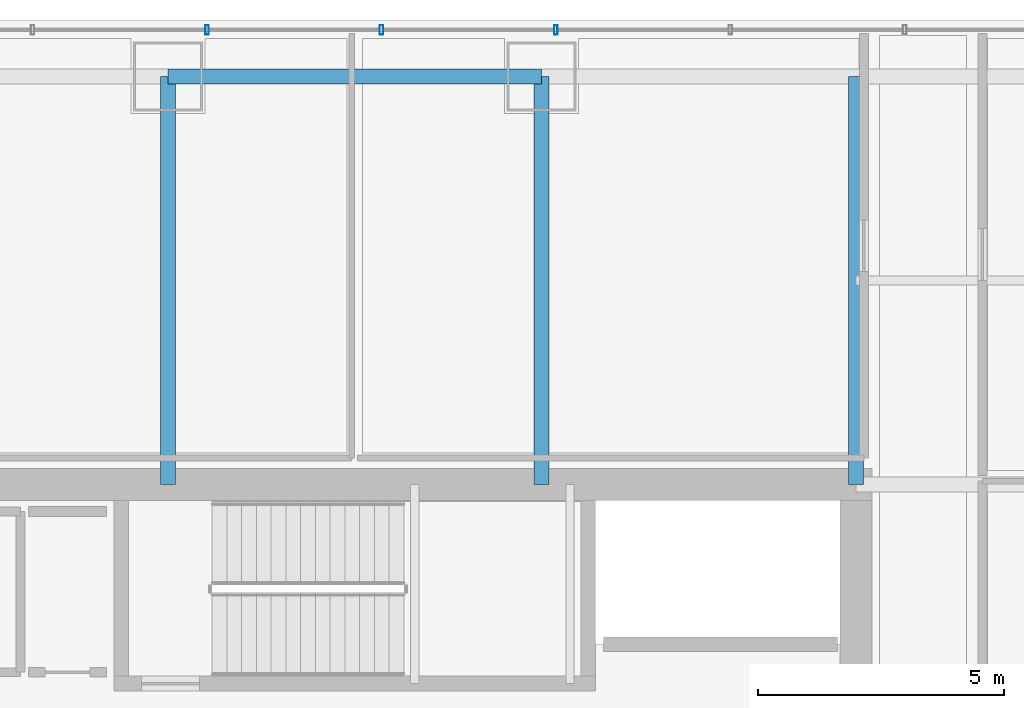
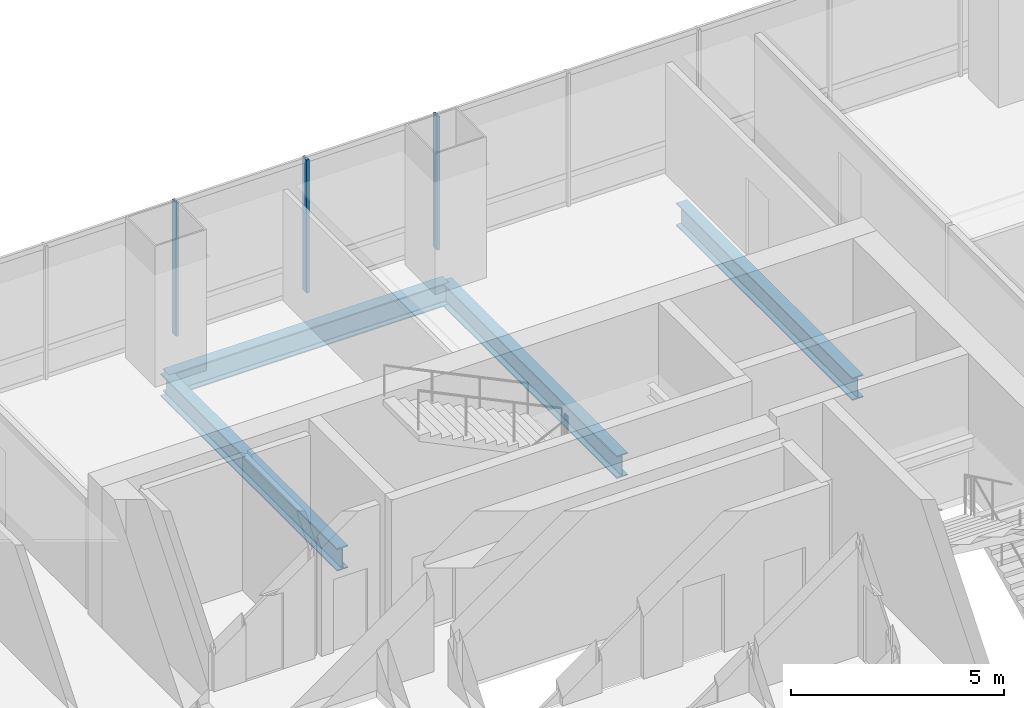
# One storey, part 23 of 36: 4 beams, 3 members, 1 element without a shape of its own.
"""IFC4 building model written with IfcOpenShell, lengths in metres."""

from ifc_helpers import new_model, si_unit, direction, frame, origin, origin_2d, place, context, subcontext, project, spatial, hollow_rectangle, i_section, extrude, material, material_profile, profile_set, type_object, element, aggregate, save


model = new_model("IFC4")

# Units and contexts
model_context = context("Model", 3, precision=1e-05, world=origin(), true_north=direction((0.0, 1.0)))
body_context = subcontext(model_context, "Body", "Model", "MODEL_VIEW")
ifc_project = project(units=[si_unit("LENGTHUNIT", "METRE"), si_unit("AREAUNIT", "SQUARE_METRE"), si_unit("VOLUMEUNIT", "CUBIC_METRE"), si_unit("PLANEANGLEUNIT", "RADIAN"), si_unit("MASSUNIT", "GRAM", prefix="KILO")], contexts=[model_context])

# Site, building, storey
site_placement = place(None, origin())
site = spatial("IfcSite", under=ifc_project, at=site_placement, CompositionType="ELEMENT")
building_placement = place(site_placement, origin())
building = spatial("IfcBuilding", under=site, at=building_placement, Name="Punatoya Terracotta Tower", CompositionType="ELEMENT")
storey_placement = place(building_placement, frame((0.0, 0.0, 228.89990234375)))
storey = spatial("IfcBuildingStorey", under=building, at=storey_placement, Name="L54", CompositionType="ELEMENT", Elevation=228.89990234375)

# Beams
ifc_material_1 = material(Name="Steel S355", Category="steel")
ifc_material_profile_1 = material_profile(ifc_material_1, i_section(OverallWidth=0.300048828125, OverallDepth=0.64990234375, WebThickness=0.01611328125, FlangeThickness=0.031005859375, FilletRadius=0.01806640625, at=origin_2d()))
ifc_profile_set_1 = profile_set([ifc_material_profile_1], Name="Steel S355")
beam_type = type_object("IfcBeamType", Name="BM-PRI-650", PredefinedType="BEAM", material=ifc_profile_set_1)
beam_placement = place(storey_placement, frame((-3.800048828125, 17.5, -0.544921875), z_axis=(1.0, 0.0, 0.0), x_axis=(0.0, 1.0, 0.0)))
element("IfcBeam", 1, at=beam_placement, inside=storey, type_object=beam_type, Name="BM-L54-RG-N2", PredefinedType="BEAM", context=body_context, shape_type="SweptSolid", body=[
    extrude(i_section(OverallWidth=0.300048828125, OverallDepth=0.64990234375, WebThickness=0.01611328125, FlangeThickness=0.031005859375, FilletRadius=0.01806640625, at=origin_2d()), origin(), (0.0, 0.0, 1.0), 7.60009765625),
])
for number, where, z_axis, x_axis, name in (
    (2, (-3.800048828125, 9.199951171875, -0.544921875), (0.0, 1.0, 0.0), (-1.0, 0.0, 0.0), "BM-L54-PR-N2"),
    (3, (3.800048828125, 9.199951171875, -0.544921875), (0.0, 1.0, 0.0), (-1.0, 0.0, 0.0), "BM-L54-PR-N3"),
    (4, (10.199951171875, 9.199951171875, -0.544921875), (0.0, 1.0, 0.0), (-1.0, 0.0, 0.0), "BM-L54-PR-N4"),
):
    element("IfcBeam", number, at=place(storey_placement, frame(where, z_axis=z_axis, x_axis=x_axis)), inside=storey, type_object=beam_type, Name=name, PredefinedType="BEAM", context=body_context, shape_type="SweptSolid", body=[
        extrude(i_section(OverallWidth=0.300048828125, OverallDepth=0.64990234375, WebThickness=0.01611328125, FlangeThickness=0.031005859375, FilletRadius=0.01806640625, at=origin_2d()), origin(), (0.0, 0.0, 1.0), 8.300048828125),
    ])

# Curtain wall, members
ifc_material_2 = material(Name="Aluminium 6063-T6 + Double Low-E Glass", Category="aluminium")
curtain_wall_type = type_object("IfcCurtainWallType", Name="CW-M2", PredefinedType="NOTDEFINED", material=ifc_material_2)
curtain_wall_placement = place(storey_placement, origin())
curtain_wall = element("IfcCurtainWall", 5, at=curtain_wall_placement, inside=storey, type_object=curtain_wall_type, Name="L54 Curtain Wall CW-L54-N08-1", PredefinedType="NOTDEFINED")
ifc_material_3 = material(Name="Aluminium 6063-T6", Category="aluminium")
ifc_material_profile_2 = material_profile(ifc_material_3, hollow_rectangle(XDim=0.072021484375, YDim=0.195068359375, WallThickness=0.00439453125, at=origin_2d()))
ifc_profile_set_2 = profile_set([ifc_material_profile_2], Name="Aluminium 6063-T6")
member_type = type_object("IfcMemberType", Name="CW-MUL-M2", PredefinedType="MULLION", material=ifc_profile_set_2)
member_1_placement = place(storey_placement, frame((4.093505859375, 18.449951171875, 0.0), z_axis=(0.0, 0.0, 1.0), x_axis=(1.0, 0.0, 0.0)))
member_1 = element("IfcMember", 6, at=member_1_placement, type_object=member_type, Name="CW-L54-N08-1 Mullion 05", PredefinedType="MULLION", context=body_context, shape_type="SweptSolid", body=[
    extrude(hollow_rectangle(XDim=0.072021484375, YDim=0.195068359375, WallThickness=0.00439453125, at=origin_2d()), origin(), (0.0, 0.0, 1.0), 3.830078125),
])
member_2_placement = place(storey_placement, frame((0.544921875, 18.449951171875, 0.0), z_axis=(0.0, 0.0, 1.0), x_axis=(1.0, 0.0, 0.0)))
member_2 = element("IfcMember", 7, at=member_2_placement, type_object=member_type, Name="CW-L54-N08-1 Mullion 06", PredefinedType="MULLION", context=body_context, shape_type="SweptSolid", body=[
    extrude(hollow_rectangle(XDim=0.072021484375, YDim=0.195068359375, WallThickness=0.00439453125, at=origin_2d()), origin(), (0.0, 0.0, 1.0), 3.830078125),
])
member_3_placement = place(storey_placement, frame((-3.00390625, 18.449951171875, 0.0), z_axis=(0.0, 0.0, 1.0), x_axis=(1.0, 0.0, 0.0)))
member_3 = element("IfcMember", 8, at=member_3_placement, type_object=member_type, Name="CW-L54-N08-1 Mullion 07", PredefinedType="MULLION", context=body_context, shape_type="SweptSolid", body=[
    extrude(hollow_rectangle(XDim=0.072021484375, YDim=0.195068359375, WallThickness=0.00439453125, at=origin_2d()), origin(), (0.0, 0.0, 1.0), 3.830078125),
])
aggregate(curtain_wall, [member_1, member_2, member_3])

save(model, "model.ifc")
